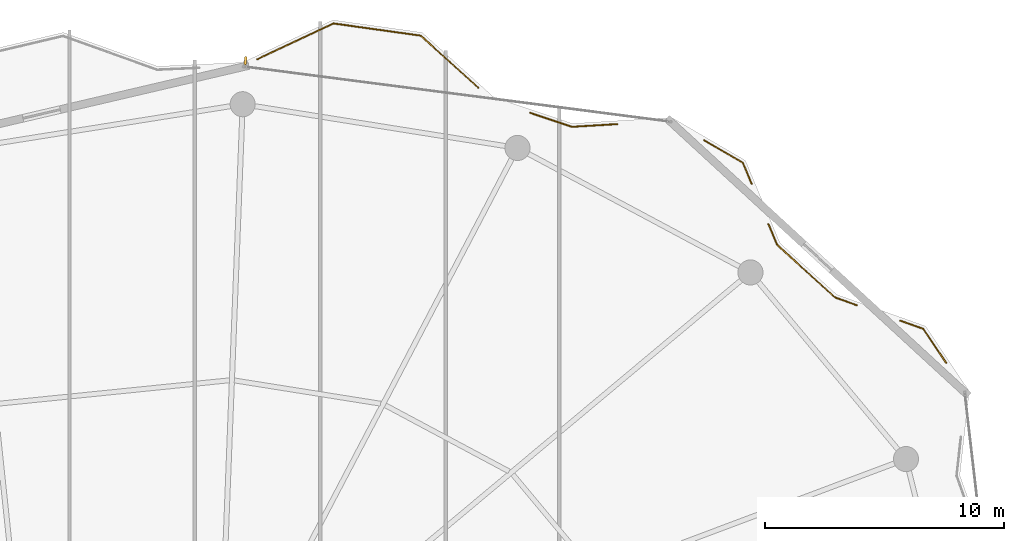
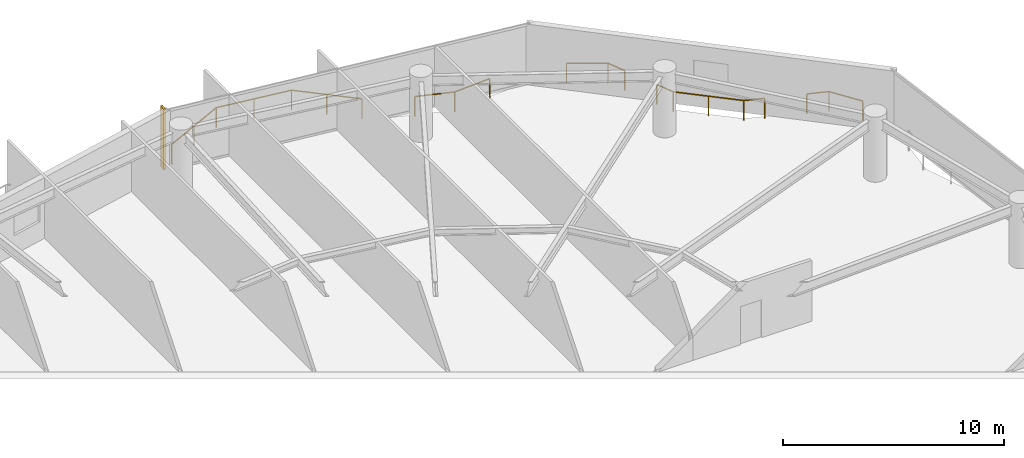
# One storey, part 31 of 31: 5 railings, 1 shading device.
"""IFC4 building model written with IfcOpenShell, lengths in metres."""

from ifc_helpers import new_model, si_unit, direction, frame, origin, origin_2d, place, context, subcontext, project, spatial, rectangle, extrude, material, type_object, element, save


model = new_model("IFC4")

# Units and contexts
model_context = context("Model", 3, precision=1e-05, world=origin(), true_north=direction((0.0, 1.0)))
body_context = subcontext(model_context, "Body", "Model", "MODEL_VIEW")
ifc_project = project(units=[si_unit("LENGTHUNIT", "METRE"), si_unit("AREAUNIT", "SQUARE_METRE"), si_unit("VOLUMEUNIT", "CUBIC_METRE"), si_unit("PLANEANGLEUNIT", "RADIAN"), si_unit("MASSUNIT", "GRAM", prefix="KILO")], contexts=[model_context])

# Site, building, storey
site_placement = place(None, origin())
site = spatial("IfcSite", under=ifc_project, at=site_placement, CompositionType="ELEMENT")
building_placement = place(site_placement, origin())
building = spatial("IfcBuilding", under=site, at=building_placement, Name="Kazevale Care Tower and Concert Hall", CompositionType="ELEMENT")
storey_placement = place(building_placement, frame((0.0, 0.0, 235.199951171875)))
storey = spatial("IfcBuildingStorey", under=building, at=storey_placement, Name="L62", CompositionType="ELEMENT", Elevation=235.199951171875)

# Railings
ifc_material_1 = material(Name="Anodised Bronze Aluminium and Laminated Glass", Category="aluminium")
railing_type = type_object("IfcRailingType", Name="Balcony and Terrace Balustrade 1120", PredefinedType="BALUSTRADE", material=ifc_material_1)
railing_1_placement = place(storey_placement, frame((45.610107421875, 63.931884765625, 0.0)))
element("IfcRailing", 1, at=railing_1_placement, inside=storey, type_object=railing_type, Name="rail:L62:perim:6", PredefinedType="BALUSTRADE", context=body_context, shape_type="SweptSolid", body=[
    extrude(rectangle(XDim=0.048095703125, YDim=0.048095703125, at=origin_2d()), frame((0.0, 0.0, 1.09619140625), z_axis=(0.905100997077, 0.42519664285, 0.0), x_axis=(-0.42519664285, 0.905100997077, 0.0)), (0.0, 0.0, 1.0), 3.525390625),
    extrude(rectangle(XDim=0.048095703125, YDim=0.048095703125, at=origin_2d()), frame((3.19091796875, 1.4990234375, 1.09619140625), z_axis=(0.990362854901, -0.138496987809, 0.0), x_axis=(0.138496987809, 0.990362854901, 0.0)), (0.0, 0.0, 1.0), 3.682373046875),
    extrude(rectangle(XDim=0.048095703125, YDim=0.048095703125, at=origin_2d()), frame((6.837890625, 0.989013671875, 1.09619140625), z_axis=(0.74237767764, -0.669981629407, 0.0), x_axis=(0.669981629407, 0.74237767764, 0.0)), (0.0, 0.0, 1.0), 3.260986328125),
    extrude(rectangle(XDim=0.0419921875, YDim=0.0419921875, at=origin_2d()), origin(), (0.0, 0.0, 1.0), 1.072021484375),
    extrude(rectangle(XDim=0.0419921875, YDim=0.0419921875, at=origin_2d()), frame((1.595458984375, 0.74951171875, 0.0)), (0.0, 0.0, 1.0), 1.072021484375),
    extrude(rectangle(XDim=0.0419921875, YDim=0.0419921875, at=origin_2d()), frame((3.19091796875, 1.4990234375, 0.0)), (0.0, 0.0, 1.0), 1.072021484375),
    extrude(rectangle(XDim=0.0419921875, YDim=0.0419921875, at=origin_2d()), frame((5.014404296875, 1.244140625, 0.0)), (0.0, 0.0, 1.0), 1.072021484375),
    extrude(rectangle(XDim=0.0419921875, YDim=0.0419921875, at=origin_2d()), frame((6.837890625, 0.989013671875, 0.0)), (0.0, 0.0, 1.0), 1.072021484375),
    extrude(rectangle(XDim=0.0419921875, YDim=0.0419921875, at=origin_2d()), frame((8.04833984375, -0.103515625, 0.0)), (0.0, 0.0, 1.0), 1.072021484375),
    extrude(rectangle(XDim=0.0419921875, YDim=0.0419921875, at=origin_2d()), frame((9.2587890625, -1.19580078125, 0.0)), (0.0, 0.0, 1.0), 1.072021484375),
])
railing_2_placement = place(storey_placement, frame((57.032958984375, 61.68994140625, 0.0)))
element("IfcRailing", 2, at=railing_2_placement, inside=storey, type_object=railing_type, Name="rail:L62:perim:7", PredefinedType="BALUSTRADE", context=body_context, shape_type="SweptSolid", body=[
    extrude(rectangle(XDim=0.048095703125, YDim=0.048095703125, at=origin_2d()), frame((0.0, 0.0, 1.09619140625), z_axis=(0.948045105832, -0.318135941554, 0.0), x_axis=(0.318135941554, 0.948045105832, 0.0)), (0.0, 0.0, 1.0), 1.841796875),
    extrude(rectangle(XDim=0.048095703125, YDim=0.048095703125, at=origin_2d()), frame((1.74609375, -0.5859375, 1.09619140625), z_axis=(0.998181354811, 0.060282525723, 0.0), x_axis=(-0.060282525723, 0.998181354811, 0.0)), (0.0, 0.0, 1.0), 1.907470703125),
    extrude(rectangle(XDim=0.0419921875, YDim=0.0419921875, at=origin_2d()), origin(), (0.0, 0.0, 1.0), 1.072021484375),
    extrude(rectangle(XDim=0.0419921875, YDim=0.0419921875, at=origin_2d()), frame((1.74609375, -0.5859375, 0.0)), (0.0, 0.0, 1.0), 1.072021484375),
    extrude(rectangle(XDim=0.0419921875, YDim=0.0419921875, at=origin_2d()), frame((3.650146484375, -0.470947265625, 0.0)), (0.0, 0.0, 1.0), 1.072021484375),
])
railing_3_placement = place(storey_placement, frame((64.31298828125, 60.54296875, 0.0)))
element("IfcRailing", 3, at=railing_3_placement, inside=storey, type_object=railing_type, Name="rail:L62:perim:8", PredefinedType="BALUSTRADE", context=body_context, shape_type="SweptSolid", body=[
    extrude(rectangle(XDim=0.048095703125, YDim=0.048095703125, at=origin_2d()), frame((0.0, 0.0, 1.09619140625), z_axis=(0.863897008105, -0.503668501483, 0.0), x_axis=(0.503668501483, 0.863897008105, 0.0)), (0.0, 0.0, 1.0), 1.8740234375),
    extrude(rectangle(XDim=0.048095703125, YDim=0.048095703125, at=origin_2d()), frame((1.618896484375, -0.94384765625, 1.09619140625), z_axis=(0.384958845263, -0.922933739471, 0.0), x_axis=(0.922933739471, 0.384958845263, 0.0)), (0.0, 0.0, 1.0), 0.958984375),
    extrude(rectangle(XDim=0.0419921875, YDim=0.0419921875, at=origin_2d()), origin(), (0.0, 0.0, 1.0), 1.072021484375),
    extrude(rectangle(XDim=0.0419921875, YDim=0.0419921875, at=origin_2d()), frame((1.618896484375, -0.94384765625, 0.0)), (0.0, 0.0, 1.0), 1.072021484375),
    extrude(rectangle(XDim=0.0419921875, YDim=0.0419921875, at=origin_2d()), frame((1.988037109375, -1.828857421875, 0.0)), (0.0, 0.0, 1.0), 1.072021484375),
])
railing_4_placement = place(storey_placement, frame((67.0029296875, 57.037109375, 0.0)))
element("IfcRailing", 4, at=railing_4_placement, inside=storey, type_object=railing_type, Name="rail:L62:perim:9", PredefinedType="BALUSTRADE", context=body_context, shape_type="SweptSolid", body=[
    extrude(rectangle(XDim=0.048095703125, YDim=0.048095703125, at=origin_2d()), frame((0.0, 0.0, 1.09619140625), z_axis=(0.385400252226, -0.922749503161, 0.0), x_axis=(0.922749503161, 0.385400252226, 0.0)), (0.0, 0.0, 1.0), 0.949462890625),
    extrude(rectangle(XDim=0.048095703125, YDim=0.048095703125, at=origin_2d()), frame((0.365966796875, -0.876220703125, 1.09619140625), z_axis=(0.740453598396, -0.672107482939, 0.0), x_axis=(0.672107482939, 0.740453598396, 0.0)), (0.0, 0.0, 1.0), 3.2685546875),
    extrude(rectangle(XDim=0.048095703125, YDim=0.048095703125, at=origin_2d()), frame((2.7861328125, -3.072998046875, 1.09619140625), z_axis=(0.941931266787, -0.33580573052, 0.0), x_axis=(0.33580573052, 0.941931266787, 0.0)), (0.0, 0.0, 1.0), 0.9619140625),
    extrude(rectangle(XDim=0.0419921875, YDim=0.0419921875, at=origin_2d()), origin(), (0.0, 0.0, 1.0), 1.072021484375),
    extrude(rectangle(XDim=0.0419921875, YDim=0.0419921875, at=origin_2d()), frame((0.365966796875, -0.876220703125, 0.0)), (0.0, 0.0, 1.0), 1.072021484375),
    extrude(rectangle(XDim=0.0419921875, YDim=0.0419921875, at=origin_2d()), frame((1.576171875, -1.974609375, 0.0)), (0.0, 0.0, 1.0), 1.072021484375),
    extrude(rectangle(XDim=0.0419921875, YDim=0.0419921875, at=origin_2d()), frame((2.7861328125, -3.072998046875, 0.0)), (0.0, 0.0, 1.0), 1.072021484375),
    extrude(rectangle(XDim=0.0419921875, YDim=0.0419921875, at=origin_2d()), frame((3.692138671875, -3.39599609375, 0.0)), (0.0, 0.0, 1.0), 1.072021484375),
])
railing_5_placement = place(storey_placement, frame((72.527099609375, 52.989013671875, 0.0)))
element("IfcRailing", 5, at=railing_5_placement, inside=storey, type_object=railing_type, Name="rail:L62:perim:10", PredefinedType="BALUSTRADE", context=body_context, shape_type="SweptSolid", body=[
    extrude(rectangle(XDim=0.048095703125, YDim=0.048095703125, at=origin_2d()), frame((0.0, 0.0, 1.09619140625), z_axis=(0.941882879888, -0.335941424319, 0.0), x_axis=(0.335941424319, 0.941882879888, 0.0)), (0.0, 0.0, 1.0), 1.01806640625),
    extrude(rectangle(XDim=0.048095703125, YDim=0.048095703125, at=origin_2d()), frame((0.958984375, -0.342041015625, 1.09619140625), z_axis=(0.558028145129, -0.829822022631, 0.0), x_axis=(0.829822022631, 0.558028145129, 0.0)), (0.0, 0.0, 1.0), 1.70751953125),
    extrude(rectangle(XDim=0.0419921875, YDim=0.0419921875, at=origin_2d()), origin(), (0.0, 0.0, 1.0), 1.072021484375),
    extrude(rectangle(XDim=0.0419921875, YDim=0.0419921875, at=origin_2d()), frame((0.958984375, -0.342041015625, 0.0)), (0.0, 0.0, 1.0), 1.072021484375),
    extrude(rectangle(XDim=0.0419921875, YDim=0.0419921875, at=origin_2d()), frame((1.911865234375, -1.759033203125, 0.0)), (0.0, 0.0, 1.0), 1.072021484375),
])

# Shading device
ifc_material_2 = material(Name="Anodised Bronze Aluminium", Category="aluminium")
shading_device_type = type_object("IfcShadingDeviceType", Name="Waist Anodised Bronze-Stone Fin FIN-02", PredefinedType="USERDEFINED", material=ifc_material_2)
shading_device_placement = place(storey_placement, frame((45.116455078125, 63.870849609375, 0.0), z_axis=(0.0, 0.0, 1.0), x_axis=(0.128103248172, 0.991760837, 0.0)))
element("IfcShadingDevice", 6, at=shading_device_placement, inside=storey, type_object=shading_device_type, Name="cw:L62:f16:fin", ObjectType="FIN", PredefinedType="USERDEFINED", context=body_context, shape_type="SweptSolid", body=[
    extrude(rectangle(XDim=0.340087890625, YDim=0.10009765625, at=origin_2d()), origin(), (0.0, 0.0, 1.0), 3.360107421875),
])

save(model, "model.ifc")
